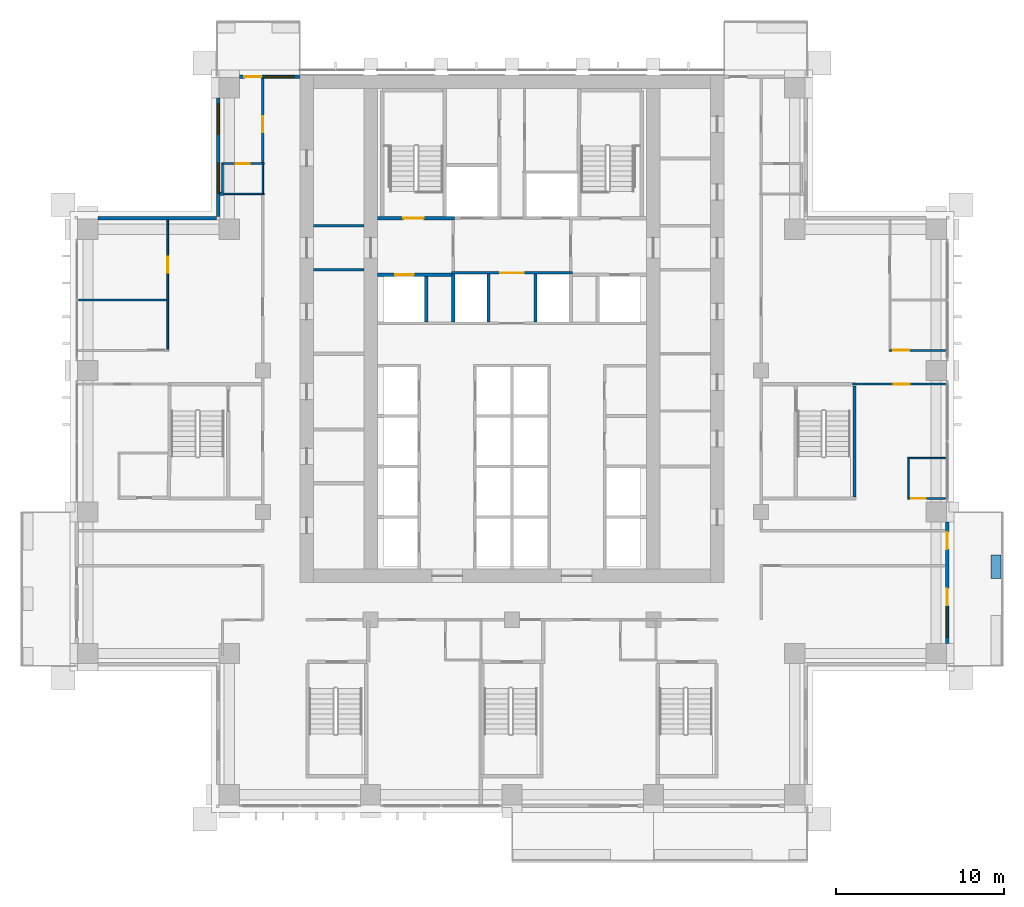
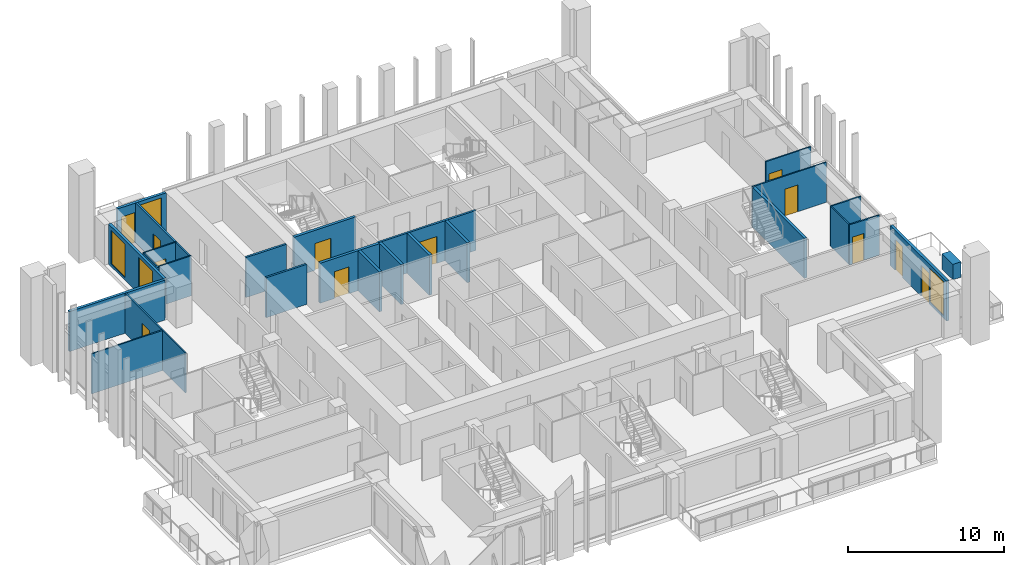
# One storey, part 12 of 19: 28 walls, 12 doors, 4 windows, 16 openings.
"""IFC4 building model written with IfcOpenShell, lengths in metres."""

from ifc_helpers import new_model, si_unit, direction, frame, frame_2d, origin, place, context, subcontext, project, spatial, rectangle, extrude, material, layer, layer_set, type_object, element, fill, save


model = new_model("IFC4")

# Units and contexts
model_context = context("Model", 3, precision=1e-05, world=origin(), true_north=direction((0.0, 1.0)))
body_context = subcontext(model_context, "Body", "Model", "MODEL_VIEW")
ifc_project = project(units=[si_unit("LENGTHUNIT", "METRE"), si_unit("AREAUNIT", "SQUARE_METRE"), si_unit("VOLUMEUNIT", "CUBIC_METRE"), si_unit("PLANEANGLEUNIT", "RADIAN"), si_unit("MASSUNIT", "GRAM", prefix="KILO")], contexts=[model_context])

# Site, building, storey
site_placement = place(None, origin())
site = spatial("IfcSite", under=ifc_project, at=site_placement, CompositionType="ELEMENT")
building_placement = place(site_placement, origin())
building = spatial("IfcBuilding", under=site, at=building_placement, Name="Vermilion Ogive Tower", CompositionType="ELEMENT")
storey_placement = place(building_placement, frame((0.0, 0.0, 90.75)))
storey = spatial("IfcBuildingStorey", under=building, at=storey_placement, Name="L22", CompositionType="ELEMENT", Elevation=90.75)

# Wall, opening, door
ifc_material_1 = material(Name="Gypsum board partition on steel studs", Category="steel")
ifc_layer_1 = layer(ifc_material_1, 0.10009765625)
ifc_layer_set_1 = layer_set([ifc_layer_1], Name="Partition 100 bath")
wall_type_1 = type_object("IfcWallType", Name="Partition 100 bath", PredefinedType="PARTITIONING", material=ifc_layer_set_1)
wall_1_placement = place(storey_placement, frame((23.501953125, -3.39990234375, 0.0), z_axis=(0.0, 0.0, 1.0), x_axis=(1.0, 0.0, 0.0)))
wall_1 = element("IfcWall", 1, at=wall_1_placement, inside=storey, type_object=wall_type_1, Name="L22-W-W020", PredefinedType="PARTITIONING", context=body_context, shape_type="SweptSolid", body=[
    extrude(rectangle(XDim=2.248046875, YDim=0.10009765625, at=frame_2d((1.1240234375, 0.0))), origin(), (0.0, 0.0, 1.0), 3.1298828125),
])
opening_1_placement = place(wall_1_placement, frame((0.222900390625, 0.0, 0.0)))
opening_1 = element("IfcOpeningElement", 2, at=opening_1_placement, cuts=wall_1, Name="Opening D2G2019", PredefinedType="OPENING", context=body_context, shape_type="SweptSolid", body=[
    extrude(rectangle(XDim=0.85009765625, YDim=2.10009765625, at=frame_2d((0.425048828125, 1.050048828125))), frame((0.0, 0.06005859375, 0.0), z_axis=(0.0, -1.0, 0.0), x_axis=(1.0, 0.0, 0.0)), (0.0, 0.0, 1.0), 0.1201171875),
])
ifc_material_2 = material(Name="Timber door leaf", Category="wood")
door_type_1 = type_object("IfcDoorType", Name="Bath door 850 x 2100 FD30", OperationType="SINGLE_SWING_LEFT", PredefinedType="DOOR", material=ifc_material_2)
door_1_placement = place(opening_1_placement, origin())
door_1 = element("IfcDoor", 3, at=door_1_placement, inside=storey, type_object=door_type_1, Name="L22-D-D019", OperationType="SINGLE_SWING_LEFT", OverallHeight=2.10009765625, OverallWidth=0.85009765625, PredefinedType="DOOR", context=body_context, shape_type="SweptSolid", body=[
    extrude(rectangle(XDim=0.85009765625, YDim=2.10009765625, at=frame_2d((0.425048828125, 1.050048828125))), frame((0.0, 0.02490234375, 0.0), z_axis=(0.0, -1.0, 0.0), x_axis=(1.0, 0.0, 0.0)), (0.0, 0.0, 1.0), 0.050048828125),
])
fill(opening_1, door_1)

# Walls
wall_2_placement = place(storey_placement, frame((23.501953125, -1.0, 0.0), z_axis=(0.0, 0.0, 1.0), x_axis=(1.0, 0.0, 0.0)))
element("IfcWall", 4, at=wall_2_placement, inside=storey, type_object=wall_type_1, Name="L22-W-W021", PredefinedType="PARTITIONING", context=body_context, shape_type="SweptSolid", body=[
    extrude(rectangle(XDim=2.248046875, YDim=0.10009765625, at=frame_2d((1.1240234375, 0.0))), origin(), (0.0, 0.0, 1.0), 3.1298828125),
])
wall_3_placement = place(storey_placement, frame((-17.25, 14.699951171875, 0.0), z_axis=(0.0, 0.0, 1.0), x_axis=(1.0, 0.0, 0.0)))
element("IfcWall", 5, at=wall_3_placement, inside=storey, type_object=wall_type_1, Name="L22-W-W032", PredefinedType="PARTITIONING", context=body_context, shape_type="SweptSolid", body=[
    extrude(rectangle(XDim=2.52490234375, YDim=0.10009765625, at=frame_2d((1.262451171875, 0.0))), origin(), (0.0, 0.0, 1.0), 3.1298828125),
])

# Wall, opening, door
wall_4_placement = place(storey_placement, frame((-17.25, 16.5, 0.0), z_axis=(0.0, 0.0, 1.0), x_axis=(1.0, 0.0, 0.0)))
wall_4 = element("IfcWall", 6, at=wall_4_placement, inside=storey, type_object=wall_type_1, Name="L22-W-W035", PredefinedType="PARTITIONING", context=body_context, shape_type="SweptSolid", body=[
    extrude(rectangle(XDim=2.52490234375, YDim=0.10009765625, at=frame_2d((1.262451171875, 0.0))), origin(), (0.0, 0.0, 1.0), 3.1298828125),
])
opening_2_placement = place(wall_4_placement, frame((0.824951171875, 0.0, 0.0)))
opening_2 = element("IfcOpeningElement", 7, at=opening_2_placement, cuts=wall_4, Name="Opening D2G2009", PredefinedType="OPENING", context=body_context, shape_type="SweptSolid", body=[
    extrude(rectangle(XDim=0.85009765625, YDim=2.10009765625, at=frame_2d((0.425048828125, 1.050048828125))), frame((0.0, 0.06005859375, 0.0), z_axis=(0.0, -1.0, 0.0), x_axis=(1.0, 0.0, 0.0)), (0.0, 0.0, 1.0), 0.1201171875),
])
door_2_placement = place(opening_2_placement, origin())
door_2 = element("IfcDoor", 8, at=door_2_placement, inside=storey, type_object=door_type_1, Name="L22-D-D009", OperationType="SINGLE_SWING_RIGHT", OverallHeight=2.10009765625, OverallWidth=0.85009765625, PredefinedType="DOOR", context=body_context, shape_type="SweptSolid", body=[
    extrude(rectangle(XDim=0.85009765625, YDim=2.10009765625, at=frame_2d((0.425048828125, 1.050048828125))), frame((0.0, 0.02490234375, 0.0), z_axis=(0.0, -1.0, 0.0), x_axis=(1.0, 0.0, 0.0)), (0.0, 0.0, 1.0), 0.050048828125),
])
fill(opening_2, door_2)

# Walls
wall_5_placement = place(storey_placement, frame((-17.199951171875, 14.800048828125, 0.0), z_axis=(0.0, 0.0, 1.0), x_axis=(0.0, 1.0, 0.0)))
element("IfcWall", 9, at=wall_5_placement, inside=storey, type_object=wall_type_1, Name="L22-W-W042", PredefinedType="PARTITIONING", context=body_context, shape_type="SweptSolid", body=[
    extrude(rectangle(XDim=1.64990234375, YDim=0.10009765625, at=frame_2d((0.824951171875, 0.0))), origin(), (0.0, 0.0, 1.0), 3.1298828125),
])
wall_6_placement = place(storey_placement, frame((-14.800048828125, 14.75, 0.0), z_axis=(0.0, 0.0, 1.0), x_axis=(0.0, 1.0, 0.0)))
element("IfcWall", 10, at=wall_6_placement, inside=storey, type_object=wall_type_1, Name="L22-W-W046", PredefinedType="PARTITIONING", context=body_context, shape_type="SweptSolid", body=[
    extrude(rectangle(XDim=1.699951171875, YDim=0.10009765625, at=frame_2d((0.85009765625, 0.0))), origin(), (0.0, 0.0, 1.0), 3.1298828125),
])
wall_7_placement = place(storey_placement, frame((23.550048828125, -3.347900390625, 0.0), z_axis=(0.0, 0.0, 1.0), x_axis=(0.0, 1.0, 0.0)))
element("IfcWall", 11, at=wall_7_placement, inside=storey, type_object=wall_type_1, Name="L22-W-W065", PredefinedType="PARTITIONING", context=body_context, shape_type="SweptSolid", body=[
    extrude(rectangle(XDim=2.2958984375, YDim=0.10009765625, at=frame_2d((1.14794921875, 0.0))), origin(), (0.0, 0.0, 1.0), 3.1298828125),
])

# Wall, opening, door
ifc_material_3 = material(Name="Gypsum board partition on steel studs", Category="steel")
ifc_layer_2 = layer(ifc_material_3, 0.10009765625)
ifc_layer_set_2 = layer_set([ifc_layer_2], Name="Partition 100 inner")
wall_type_2 = type_object("IfcWallType", Name="Partition 100 inner", PredefinedType="PARTITIONING", material=ifc_layer_set_2)
wall_8_placement = place(storey_placement, frame((20.25, 3.39990234375, 0.0), z_axis=(0.0, 0.0, 1.0), x_axis=(1.0, 0.0, 0.0)))
wall_8 = element("IfcWall", 12, at=wall_8_placement, inside=storey, type_object=wall_type_2, Name="L22-W-W026", PredefinedType="PARTITIONING", context=body_context, shape_type="SweptSolid", body=[
    extrude(rectangle(XDim=5.5, YDim=0.10009765625, at=frame_2d((2.75, 0.0))), origin(), (0.0, 0.0, 1.0), 3.1298828125),
])
opening_3_placement = place(wall_8_placement, frame((2.425048828125, 0.0, 0.0)))
opening_3 = element("IfcOpeningElement", 13, at=opening_3_placement, cuts=wall_8, Name="Opening D2G2018", PredefinedType="OPENING", context=body_context, shape_type="SweptSolid", body=[
    extrude(rectangle(XDim=0.949951171875, YDim=2.10009765625, at=frame_2d((0.47509765625, 1.050048828125))), frame((0.0, 0.06005859375, 0.0), z_axis=(0.0, -1.0, 0.0), x_axis=(1.0, 0.0, 0.0)), (0.0, 0.0, 1.0), 0.1201171875),
])
ifc_material_4 = material(Name="Timber door leaf", Category="wood")
door_type_2 = type_object("IfcDoorType", Name="Inner door 950 x 2100 FD30", OperationType="SINGLE_SWING_LEFT", PredefinedType="DOOR", material=ifc_material_4)
door_3_placement = place(opening_3_placement, origin())
door_3 = element("IfcDoor", 14, at=door_3_placement, inside=storey, type_object=door_type_2, Name="L22-D-D018", OperationType="SINGLE_SWING_LEFT", OverallHeight=2.10009765625, OverallWidth=0.949951171875, PredefinedType="DOOR", context=body_context, shape_type="SweptSolid", body=[
    extrude(rectangle(XDim=0.949951171875, YDim=2.10009765625, at=frame_2d((0.47509765625, 1.050048828125))), frame((0.0, 0.02490234375, 0.0), z_axis=(0.0, -1.0, 0.0), x_axis=(1.0, 0.0, 0.0)), (0.0, 0.0, 1.0), 0.050048828125),
])
fill(opening_3, door_3)

wall_9_placement = place(storey_placement, frame((22.39990234375, 5.39990234375, 0.0), z_axis=(0.0, 0.0, 1.0), x_axis=(1.0, 0.0, 0.0)))
wall_9 = element("IfcWall", 15, at=wall_9_placement, inside=storey, type_object=wall_type_2, Name="L22-W-W028", PredefinedType="PARTITIONING", context=body_context, shape_type="SweptSolid", body=[
    extrude(rectangle(XDim=3.35009765625, YDim=0.10009765625, at=frame_2d((1.675048828125, 0.0))), origin(), (0.0, 0.0, 1.0), 3.1298828125),
])
opening_4_placement = place(wall_9_placement, frame((0.25, 0.0, 0.0)))
opening_4 = element("IfcOpeningElement", 16, at=opening_4_placement, cuts=wall_9, Name="Opening D2G2015", PredefinedType="OPENING", context=body_context, shape_type="SweptSolid", body=[
    extrude(rectangle(XDim=0.949951171875, YDim=2.10009765625, at=frame_2d((0.47509765625, 1.050048828125))), frame((0.0, 0.06005859375, 0.0), z_axis=(0.0, -1.0, 0.0), x_axis=(1.0, 0.0, 0.0)), (0.0, 0.0, 1.0), 0.1201171875),
])
door_4_placement = place(opening_4_placement, origin())
door_4 = element("IfcDoor", 17, at=door_4_placement, inside=storey, type_object=door_type_2, Name="L22-D-D015", OperationType="SINGLE_SWING_LEFT", OverallHeight=2.10009765625, OverallWidth=0.949951171875, PredefinedType="DOOR", context=body_context, shape_type="SweptSolid", body=[
    extrude(rectangle(XDim=0.949951171875, YDim=2.10009765625, at=frame_2d((0.47509765625, 1.050048828125))), frame((0.0, 0.02490234375, 0.0), z_axis=(0.0, -1.0, 0.0), x_axis=(1.0, 0.0, 0.0)), (0.0, 0.0, 1.0), 0.050048828125),
])
fill(opening_4, door_4)

# Wall
wall_10_placement = place(storey_placement, frame((-25.75, 8.39990234375, 0.0), z_axis=(0.0, 0.0, 1.0), x_axis=(1.0, 0.0, 0.0)))
element("IfcWall", 18, at=wall_10_placement, inside=storey, type_object=wall_type_2, Name="L22-W-W029", PredefinedType="PARTITIONING", context=body_context, shape_type="SweptSolid", body=[
    extrude(rectangle(XDim=5.25, YDim=0.10009765625, at=frame_2d((2.625, 0.0))), origin(), (0.0, 0.0, 1.0), 3.1298828125),
])

# Wall, opening, door
wall_11_placement = place(storey_placement, frame((-20.449951171875, 5.449951171875, 0.0), z_axis=(0.0, 0.0, 1.0), x_axis=(0.0, 1.0, 0.0)))
wall_11 = element("IfcWall", 19, at=wall_11_placement, inside=storey, type_object=wall_type_2, Name="L22-W-W038", PredefinedType="PARTITIONING", context=body_context, shape_type="SweptSolid", body=[
    extrude(rectangle(XDim=7.699951171875, YDim=0.10009765625, at=frame_2d((3.85009765625, 0.0))), origin(), (0.0, 0.0, 1.0), 3.1298828125),
])
opening_5_placement = place(wall_11_placement, frame((4.574951171875, 0.0, 0.0)))
opening_5 = element("IfcOpeningElement", 20, at=opening_5_placement, cuts=wall_11, Name="Opening D2G2004", PredefinedType="OPENING", context=body_context, shape_type="SweptSolid", body=[
    extrude(rectangle(XDim=0.949951171875, YDim=2.10009765625, at=frame_2d((0.47509765625, 1.050048828125))), frame((0.0, 0.06005859375, 0.0), z_axis=(0.0, -1.0, 0.0), x_axis=(1.0, 0.0, 0.0)), (0.0, 0.0, 1.0), 0.1201171875),
])
door_5_placement = place(opening_5_placement, origin())
door_5 = element("IfcDoor", 21, at=door_5_placement, inside=storey, type_object=door_type_2, Name="L22-D-D004", OperationType="SINGLE_SWING_LEFT", OverallHeight=2.10009765625, OverallWidth=0.949951171875, PredefinedType="DOOR", context=body_context, shape_type="SweptSolid", body=[
    extrude(rectangle(XDim=0.949951171875, YDim=2.10009765625, at=frame_2d((0.47509765625, 1.050048828125))), frame((0.0, 0.02490234375, 0.0), z_axis=(0.0, -1.0, 0.0), x_axis=(1.0, 0.0, 0.0)), (0.0, 0.0, 1.0), 0.050048828125),
])
fill(opening_5, door_5)

ifc_material_5 = material(Name="Gypsum board partition on steel studs", Category="steel")
ifc_layer_3 = layer(ifc_material_5, 0.14990234375)
ifc_layer_set_3 = layer_set([ifc_layer_3], Name="Partition 150 corridor")
wall_type_3 = type_object("IfcWallType", Name="Partition 150 corridor", PredefinedType="PARTITIONING", material=ifc_layer_set_3)
wall_12_placement = place(storey_placement, frame((-14.800048828125, 16.550048828125, 0.0), z_axis=(0.0, 0.0, 1.0), x_axis=(0.0, 1.0, 0.0)))
wall_12 = element("IfcWall", 22, at=wall_12_placement, inside=storey, type_object=wall_type_3, Name="L22-W-W047", PredefinedType="PARTITIONING", context=body_context, shape_type="SweptSolid", body=[
    extrude(rectangle(XDim=5.0, YDim=0.14990234375, at=frame_2d((2.5, 0.0))), origin(), (0.0, 0.0, 1.0), 3.1298828125),
])
opening_6_placement = place(wall_12_placement, frame((1.800048828125, 0.0, 0.0)))
opening_6 = element("IfcOpeningElement", 23, at=opening_6_placement, cuts=wall_12, Name="Opening D2G2008", PredefinedType="OPENING", context=body_context, shape_type="SweptSolid", body=[
    extrude(rectangle(XDim=0.949951171875, YDim=2.10009765625, at=frame_2d((0.47509765625, 1.050048828125))), frame((0.0, 0.0849609375, 0.0), z_axis=(0.0, -1.0, 0.0), x_axis=(1.0, 0.0, 0.0)), (0.0, 0.0, 1.0), 0.169921875),
])
ifc_material_6 = material(Name="Timber door leaf", Category="wood")
door_type_3 = type_object("IfcDoorType", Name="Unit door 950 x 2100 FD30S", OperationType="SINGLE_SWING_LEFT", PredefinedType="DOOR", material=ifc_material_6)
door_6_placement = place(opening_6_placement, origin())
door_6 = element("IfcDoor", 24, at=door_6_placement, inside=storey, type_object=door_type_3, Name="L22-D-D008", OperationType="SINGLE_SWING_RIGHT", OverallHeight=2.10009765625, OverallWidth=0.949951171875, PredefinedType="DOOR", context=body_context, shape_type="SweptSolid", body=[
    extrude(rectangle(XDim=0.949951171875, YDim=2.10009765625, at=frame_2d((0.47509765625, 1.050048828125))), frame((0.0, 0.02490234375, 0.0), z_axis=(0.0, -1.0, 0.0), x_axis=(1.0, 0.0, 0.0)), (0.0, 0.0, 1.0), 0.050048828125),
])
fill(opening_6, door_6)

wall_13_placement = place(storey_placement, frame((-3.60009765625, 10.0, 0.0), z_axis=(0.0, 0.0, 1.0), x_axis=(1.0, 0.0, 0.0)))
wall_13 = element("IfcWall", 25, at=wall_13_placement, inside=storey, type_object=wall_type_3, Name="L22-CK-W-W016", PredefinedType="PARTITIONING", context=body_context, shape_type="SweptSolid", body=[
    extrude(rectangle(XDim=7.2001953125, YDim=0.14990234375, at=frame_2d((3.60009765625, 0.0))), origin(), (0.0, 0.0, 1.0), 3.1298828125),
])
opening_7_placement = place(wall_13_placement, frame((2.900146484375, 0.0, 0.0)))
opening_7 = element("IfcOpeningElement", 26, at=opening_7_placement, cuts=wall_13, Name="Opening DAA164", PredefinedType="OPENING", context=body_context, shape_type="SweptSolid", body=[
    extrude(rectangle(XDim=1.39990234375, YDim=2.10009765625, at=frame_2d((0.699951171875, 1.050048828125))), frame((0.0, 0.0849609375, 0.0), z_axis=(0.0, -1.0, 0.0), x_axis=(1.0, 0.0, 0.0)), (0.0, 0.0, 1.0), 0.169921875),
])
ifc_material_7 = material(Name="Timber door leaf", Category="wood")
door_type_4 = type_object("IfcDoorType", Name="Lobby door 1400 x 2100 FD60S", OperationType="SINGLE_SWING_LEFT", PredefinedType="DOOR", material=ifc_material_7)
door_7_placement = place(opening_7_placement, origin())
door_7 = element("IfcDoor", 27, at=door_7_placement, inside=storey, type_object=door_type_4, Name="L22-CK-D-D016", OperationType="SINGLE_SWING_RIGHT", OverallHeight=2.10009765625, OverallWidth=1.39990234375, PredefinedType="DOOR", context=body_context, shape_type="SweptSolid", body=[
    extrude(rectangle(XDim=1.39990234375, YDim=2.10009765625, at=frame_2d((0.699951171875, 1.050048828125))), frame((0.0, 0.02490234375, 0.0), z_axis=(0.0, -1.0, 0.0), x_axis=(1.0, 0.0, 0.0)), (0.0, 0.0, 1.0), 0.050048828125),
])
fill(opening_7, door_7)

# Walls
for number, where, z_axis, x_axis, name in (
    (28, (-11.799072265625, 10.199951171875, 0.0), (0.0, 0.0, 1.0), (1.0, 0.0, 0.0), "L22-CKW-W-W004"),
    (29, (-11.799072265625, 12.800048828125, 0.0), (0.0, 0.0, 1.0), (1.0, 0.0, 0.0), "L22-CKW-W-W005"),
):
    element("IfcWall", number, at=place(storey_placement, frame(where, z_axis=z_axis, x_axis=x_axis)), inside=storey, type_object=wall_type_3, Name=name, PredefinedType="PARTITIONING", context=body_context, shape_type="SweptSolid", body=[
        extrude(rectangle(XDim=2.998046875, YDim=0.14990234375, at=frame_2d((1.4990234375, 0.0))), origin(), (0.0, 0.0, 1.0), 3.1298828125),
    ])
ifc_material_8 = material(Name="Gypsum board partition on steel studs", Category="steel")
ifc_layer_4 = layer(ifc_material_8, 0.199951171875)
ifc_layer_set_4 = layer_set([ifc_layer_4], Name="Partition 200 party")
wall_type_4 = type_object("IfcWallType", Name="Partition 200 party", PredefinedType="PARTITIONING", material=ifc_layer_set_4)
wall_14_placement = place(storey_placement, frame((-17.35009765625, 14.699951171875, 0.0), z_axis=(0.0, 0.0, 1.0), x_axis=(1.0, 0.0, 0.0)))
element("IfcWall", 30, at=wall_14_placement, inside=storey, type_object=wall_type_4, Name="L22-W-W031", PredefinedType="PARTITIONING", context=body_context, shape_type="SweptSolid", body=[
    extrude(rectangle(XDim=0.2001953125, YDim=0.199951171875, at=frame_2d((0.10009765625, 0.0))), origin(), (0.0, 0.0, 1.0), 3.1298828125),
])

# Wall, opening, door
wall_15_placement = place(storey_placement, frame((-7.9990234375, 9.89990234375, 0.0), z_axis=(0.0, 0.0, 1.0), x_axis=(1.0, 0.0, 0.0)))
wall_15 = element("IfcWall", 31, at=wall_15_placement, inside=storey, type_object=wall_type_4, Name="L22-CK-W-W014", PredefinedType="PARTITIONING", context=body_context, shape_type="SweptSolid", body=[
    extrude(rectangle(XDim=4.39892578125, YDim=0.199951171875, at=frame_2d((2.199462890625, 0.0))), origin(), (0.0, 0.0, 1.0), 3.1298828125),
])
opening_8_placement = place(wall_15_placement, frame((1.049072265625, 0.0, 0.0)))
opening_8 = element("IfcOpeningElement", 32, at=opening_8_placement, cuts=wall_15, Name="Opening DAA182", PredefinedType="OPENING", context=body_context, shape_type="SweptSolid", body=[
    extrude(rectangle(XDim=1.10009765625, YDim=2.10009765625, at=frame_2d((0.550048828125, 1.050048828125))), frame((0.0, 0.10986328125, 0.0), z_axis=(0.0, -1.0, 0.0), x_axis=(1.0, 0.0, 0.0)), (0.0, 0.0, 1.0), 0.219970703125),
])
ifc_material_9 = material(Name="Stainless steel", Category="steel")
door_type_5 = type_object("IfcDoorType", Name="Lift landing door 1100 x 2100", OperationType="SLIDING_TO_LEFT", PredefinedType="DOOR", material=ifc_material_9)
door_8_placement = place(opening_8_placement, origin())
door_8 = element("IfcDoor", 33, at=door_8_placement, inside=storey, type_object=door_type_5, Name="L22-CK-D-D012", OperationType="SLIDING_TO_LEFT", OverallHeight=2.10009765625, OverallWidth=1.10009765625, PredefinedType="DOOR", context=body_context, shape_type="SweptSolid", body=[
    extrude(rectangle(XDim=1.10009765625, YDim=2.10009765625, at=frame_2d((0.550048828125, 1.050048828125))), frame((0.0, 0.02490234375, 0.0), z_axis=(0.0, -1.0, 0.0), x_axis=(1.0, 0.0, 0.0)), (0.0, 0.0, 1.0), 0.050048828125),
])
fill(opening_8, door_8)

# Walls
wall_16_placement = place(storey_placement, frame((-5.10009765625, 7.074951171875, 0.0), z_axis=(0.0, 0.0, 1.0), x_axis=(0.0, 1.0, 0.0)))
element("IfcWall", 34, at=wall_16_placement, inside=storey, type_object=wall_type_4, Name="L22-CK-W-W023", PredefinedType="PARTITIONING", context=body_context, shape_type="SweptSolid", body=[
    extrude(rectangle(XDim=2.72509765625, YDim=0.199951171875, at=frame_2d((1.362548828125, 0.0))), origin(), (0.0, 0.0, 1.0), 3.1298828125),
])
for number, where, z_axis, x_axis, name in (
    (35, (-3.5, 7.074951171875, 0.0), (0.0, 0.0, 1.0), (0.0, 1.0, 0.0), "L22-CK-W-W025"),
    (36, (-1.39990234375, 7.074951171875, 0.0), (0.0, 0.0, 1.0), (0.0, 1.0, 0.0), "L22-CK-W-W028"),
    (37, (1.39990234375, 7.074951171875, 0.0), (0.0, 0.0, 1.0), (0.0, 1.0, 0.0), "L22-CK-W-W033"),
):
    element("IfcWall", number, at=place(storey_placement, frame(where, z_axis=z_axis, x_axis=x_axis)), inside=storey, type_object=wall_type_4, Name=name, PredefinedType="PARTITIONING", context=body_context, shape_type="SweptSolid", body=[
        extrude(rectangle(XDim=2.85009765625, YDim=0.199951171875, at=frame_2d((1.425048828125, 0.0))), origin(), (0.0, 0.0, 1.0), 3.1298828125),
    ])

# Wall, opening, door
ifc_material_10 = material(Name="Concrete B60", Category="concrete")
ifc_layer_5 = layer(ifc_material_10, 0.199951171875)
ifc_layer_set_5 = layer_set([ifc_layer_5], Name="Stair shaft wall 200 Concrete B60")
wall_type_5 = type_object("IfcWallType", Name="Stair shaft wall 200 Concrete B60", PredefinedType="SOLIDWALL", material=ifc_layer_set_5)
wall_17_placement = place(storey_placement, frame((-7.9990234375, 13.25, 0.0), z_axis=(0.0, 0.0, 1.0), x_axis=(1.0, 0.0, 0.0)))
wall_17 = element("IfcWall", 38, at=wall_17_placement, inside=storey, type_object=wall_type_5, Name="L22-CK-W-W017", PredefinedType="SOLIDWALL", context=body_context, shape_type="SweptSolid", body=[
    extrude(rectangle(XDim=4.573974609375, YDim=0.199951171875, at=frame_2d((2.287109375, 0.0))), origin(), (0.0, 0.0, 1.0), 3.1298828125),
])
opening_9_placement = place(wall_17_placement, frame((1.549072265625, 0.0, 0.0)))
opening_9 = element("IfcOpeningElement", 39, at=opening_9_placement, cuts=wall_17, Name="Opening DAA170", PredefinedType="OPENING", context=body_context, shape_type="SweptSolid", body=[
    extrude(rectangle(XDim=1.199951171875, YDim=2.10009765625, at=frame_2d((0.60009765625, 1.050048828125))), frame((0.0, 0.10986328125, 0.0), z_axis=(0.0, -1.0, 0.0), x_axis=(1.0, 0.0, 0.0)), (0.0, 0.0, 1.0), 0.219970703125),
])
ifc_material_11 = material(Name="Timber door leaf", Category="wood")
door_type_6 = type_object("IfcDoorType", Name="Stair door 1200 x 2100 FD60S", OperationType="SINGLE_SWING_LEFT", PredefinedType="DOOR", material=ifc_material_11)
door_9_placement = place(opening_9_placement, origin())
door_9 = element("IfcDoor", 40, at=door_9_placement, inside=storey, type_object=door_type_6, Name="L22-CK-D-D011", OperationType="SINGLE_SWING_LEFT", OverallHeight=2.10009765625, OverallWidth=1.199951171875, PredefinedType="DOOR", context=body_context, shape_type="SweptSolid", body=[
    extrude(rectangle(XDim=1.199951171875, YDim=2.10009765625, at=frame_2d((0.60009765625, 1.050048828125))), frame((0.0, 0.02490234375, 0.0), z_axis=(0.0, -1.0, 0.0), x_axis=(1.0, 0.0, 0.0)), (0.0, 0.0, 1.0), 0.050048828125),
])
fill(opening_9, door_9)

# Walls
wall_18_placement = place(storey_placement, frame((20.35009765625, -3.298095703125, 0.0), z_axis=(0.0, 0.0, 1.0), x_axis=(0.0, 1.0, 0.0)))
element("IfcWall", 41, at=wall_18_placement, inside=storey, type_object=wall_type_5, Name="L22-W-W063-A", PredefinedType="SOLIDWALL", context=body_context, shape_type="SweptSolid", body=[
    extrude(rectangle(XDim=6.59814453125, YDim=0.199951171875, at=frame_2d((3.299072265625, 0.0))), origin(), (0.0, 0.0, 1.0), 3.1298828125),
])
ifc_material_12 = material(Name="Concrete B40", Category="concrete")
ifc_layer_6 = layer(ifc_material_12, 0.60009765625)
ifc_layer_set_6 = layer_set([ifc_layer_6], Name="Structural planter")
wall_type_6 = type_object("IfcWallType", Name="Structural planter", PredefinedType="USERDEFINED", material=ifc_layer_set_6)
wall_19_placement = place(storey_placement, frame((28.75, -8.14990234375, -0.0400390625), z_axis=(0.0, 0.0, 1.0), x_axis=(0.0, 1.0, 0.0)))
element("IfcWall", 42, at=wall_19_placement, inside=storey, type_object=wall_type_6, Name="Planter E01A2", ObjectType="PLANTER", PredefinedType="USERDEFINED", context=body_context, shape_type="SweptSolid", body=[
    extrude(rectangle(XDim=1.39990234375, YDim=0.60009765625, at=frame_2d((0.699951171875, 0.0))), origin(), (0.0, 0.0, 1.0), 1.199951171875),
])

# Wall, openings, doors, window
ifc_material_13 = material(Name="Aluminium window wall framing", Category="aluminium")
ifc_layer_7 = layer(ifc_material_13, 0.199951171875)
ifc_layer_set_7 = layer_set([ifc_layer_7], Name="Window wall")
wall_type_7 = type_object("IfcWallType", Name="Window wall", PredefinedType="STANDARD", material=ifc_layer_set_7)
wall_20_placement = place(storey_placement, frame((25.85009765625, -12.0, 0.0), z_axis=(0.0, 0.0, 1.0), x_axis=(0.0, 1.0, 0.0)))
wall_20 = element("IfcWall", 43, at=wall_20_placement, inside=storey, type_object=wall_type_7, Name="Window wall E1", PredefinedType="STANDARD", context=body_context, shape_type="SweptSolid", body=[
    extrude(rectangle(XDim=7.199951171875, YDim=0.199951171875, at=frame_2d((3.60009765625, 0.0))), origin(), (0.0, 0.0, 1.0), 3.1298828125),
])
opening_10_placement = place(wall_20_placement, frame((0.35009765625, 0.0, 0.199951171875)))
opening_10 = element("IfcOpeningElement", 44, at=opening_10_placement, cuts=wall_20, Name="Opening W1-E97", PredefinedType="OPENING", context=body_context, shape_type="SweptSolid", body=[
    extrude(rectangle(XDim=1.800048828125, YDim=2.64990234375, at=frame_2d((0.89990234375, 1.324951171875))), frame((0.0, 0.10986328125, 0.0), z_axis=(0.0, -1.0, 0.0), x_axis=(1.0, 0.0, 0.0)), (0.0, 0.0, 1.0), 0.219970703125),
])
opening_11_placement = place(wall_20_placement, frame((2.25, 0.0, 0.0)))
opening_11 = element("IfcOpeningElement", 45, at=opening_11_placement, cuts=wall_20, Name="Opening D1-E97", PredefinedType="OPENING", context=body_context, shape_type="SweptSolid", body=[
    extrude(rectangle(XDim=1.0, YDim=2.39990234375, at=frame_2d((0.5, 1.199951171875))), frame((0.0, 0.10986328125, 0.0), z_axis=(0.0, -1.0, 0.0), x_axis=(1.0, 0.0, 0.0)), (0.0, 0.0, 1.0), 0.219970703125),
])
opening_12_placement = place(wall_20_placement, frame((5.60009765625, 0.0, 0.0)))
opening_12 = element("IfcOpeningElement", 46, at=opening_12_placement, cuts=wall_20, Name="Opening D1-E98", PredefinedType="OPENING", context=body_context, shape_type="SweptSolid", body=[
    extrude(rectangle(XDim=1.0, YDim=2.39990234375, at=frame_2d((0.5, 1.199951171875))), frame((0.0, 0.10986328125, 0.0), z_axis=(0.0, -1.0, 0.0), x_axis=(1.0, 0.0, 0.0)), (0.0, 0.0, 1.0), 0.219970703125),
])
ifc_material_14 = material(Name="Aluminium framed glazed door", Category="aluminium")
door_type_7 = type_object("IfcDoorType", Name="Balcony door D1", OperationType="SINGLE_SWING_LEFT", PredefinedType="DOOR", material=ifc_material_14)
door_10_placement = place(opening_11_placement, origin())
door_10 = element("IfcDoor", 47, at=door_10_placement, inside=storey, type_object=door_type_7, Name="Balcony door E97", OperationType="SINGLE_SWING_LEFT", OverallHeight=2.39990234375, OverallWidth=1.0, PredefinedType="DOOR", context=body_context, shape_type="SweptSolid", body=[
    extrude(rectangle(XDim=1.0, YDim=2.39990234375, at=frame_2d((0.5, 1.199951171875))), frame((0.0, 0.02490234375, 0.0), z_axis=(0.0, -1.0, 0.0), x_axis=(1.0, 0.0, 0.0)), (0.0, 0.0, 1.0), 0.050048828125),
])
fill(opening_11, door_10)
door_11_placement = place(opening_12_placement, origin())
door_11 = element("IfcDoor", 48, at=door_11_placement, inside=storey, type_object=door_type_7, Name="Balcony door E98", OperationType="SINGLE_SWING_LEFT", OverallHeight=2.39990234375, OverallWidth=1.0, PredefinedType="DOOR", context=body_context, shape_type="SweptSolid", body=[
    extrude(rectangle(XDim=1.0, YDim=2.39990234375, at=frame_2d((0.5, 1.199951171875))), frame((0.0, 0.02490234375, 0.0), z_axis=(0.0, -1.0, 0.0), x_axis=(1.0, 0.0, 0.0)), (0.0, 0.0, 1.0), 0.050048828125),
])
fill(opening_12, door_11)
ifc_material_15 = material(Name="Aluminium framed double glazing", Category="aluminium")
window_type = type_object("IfcWindowType", Name="Guest window W1", PartitioningType="SINGLE_PANEL", PredefinedType="WINDOW", material=ifc_material_15)
window_1_placement = place(opening_10_placement, origin())
window_1 = element("IfcWindow", 49, at=window_1_placement, inside=storey, type_object=window_type, Name="Window E97", OverallHeight=2.64990234375, OverallWidth=1.800048828125, PartitioningType="SINGLE_PANEL", PredefinedType="WINDOW", context=body_context, shape_type="SweptSolid", body=[
    extrude(rectangle(XDim=1.800048828125, YDim=2.64990234375, at=frame_2d((0.89990234375, 1.324951171875))), frame((0.0, 0.030029296875, 0.0), z_axis=(0.0, -1.0, 0.0), x_axis=(1.0, 0.0, 0.0)), (0.0, 0.0, 1.0), 0.06005859375),
])
fill(opening_10, window_1)

# Wall, openings, door, window
wall_21_placement = place(storey_placement, frame((-12.60009765625, 21.64990234375, 0.0), z_axis=(0.0, 0.0, 1.0), x_axis=(-1.0, 0.0, 0.0)))
wall_21 = element("IfcWall", 50, at=wall_21_placement, inside=storey, type_object=wall_type_7, Name="Window wall N21", PredefinedType="STANDARD", context=body_context, shape_type="SweptSolid", body=[
    extrude(rectangle(XDim=3.599853515625, YDim=0.199951171875, at=frame_2d((1.7998046875, 0.0))), origin(), (0.0, 0.0, 1.0), 3.1298828125),
])
opening_13_placement = place(wall_21_placement, frame((0.35009765625, 0.0, 0.199951171875)))
opening_13 = element("IfcOpeningElement", 51, at=opening_13_placement, cuts=wall_21, Name="Opening W1-N296", PredefinedType="OPENING", context=body_context, shape_type="SweptSolid", body=[
    extrude(rectangle(XDim=1.800048828125, YDim=2.64990234375, at=frame_2d((0.89990234375, 1.324951171875))), frame((0.0, 0.10986328125, 0.0), z_axis=(0.0, -1.0, 0.0), x_axis=(1.0, 0.0, 0.0)), (0.0, 0.0, 1.0), 0.219970703125),
])
opening_14_placement = place(wall_21_placement, frame((2.300048828125, 0.0, 0.0)))
opening_14 = element("IfcOpeningElement", 52, at=opening_14_placement, cuts=wall_21, Name="Opening D1-N296", PredefinedType="OPENING", context=body_context, shape_type="SweptSolid", body=[
    extrude(rectangle(XDim=1.0, YDim=2.39990234375, at=frame_2d((0.5, 1.199951171875))), frame((0.0, 0.10986328125, 0.0), z_axis=(0.0, -1.0, 0.0), x_axis=(1.0, 0.0, 0.0)), (0.0, 0.0, 1.0), 0.219970703125),
])
door_12_placement = place(opening_14_placement, origin())
door_12 = element("IfcDoor", 53, at=door_12_placement, inside=storey, type_object=door_type_7, Name="Balcony door N296", OperationType="SINGLE_SWING_LEFT", OverallHeight=2.39990234375, OverallWidth=1.0, PredefinedType="DOOR", context=body_context, shape_type="SweptSolid", body=[
    extrude(rectangle(XDim=1.0, YDim=2.39990234375, at=frame_2d((0.5, 1.199951171875))), frame((0.0, 0.02490234375, 0.0), z_axis=(0.0, -1.0, 0.0), x_axis=(1.0, 0.0, 0.0)), (0.0, 0.0, 1.0), 0.050048828125),
])
fill(opening_14, door_12)
window_2_placement = place(opening_13_placement, origin())
window_2 = element("IfcWindow", 54, at=window_2_placement, inside=storey, type_object=window_type, Name="Window N296", OverallHeight=2.64990234375, OverallWidth=1.800048828125, PartitioningType="SINGLE_PANEL", PredefinedType="WINDOW", context=body_context, shape_type="SweptSolid", body=[
    extrude(rectangle(XDim=1.800048828125, YDim=2.64990234375, at=frame_2d((0.89990234375, 1.324951171875))), frame((0.0, 0.030029296875, 0.0), z_axis=(0.0, -1.0, 0.0), x_axis=(1.0, 0.0, 0.0)), (0.0, 0.0, 1.0), 0.06005859375),
])
fill(opening_13, window_2)

# Wall, openings, windows
wall_22_placement = place(storey_placement, frame((-17.449951171875, 20.39990234375, 0.0), z_axis=(0.0, 0.0, 1.0), x_axis=(0.0, -1.0, 0.0)))
wall_22 = element("IfcWall", 55, at=wall_22_placement, inside=storey, type_object=wall_type_7, Name="Window wall X51", PredefinedType="STANDARD", context=body_context, shape_type="SweptSolid", body=[
    extrude(rectangle(XDim=7.0498046875, YDim=0.199951171875, at=frame_2d((3.52490234375, 0.0))), origin(), (0.0, 0.0, 1.0), 3.1298828125),
])
opening_15_placement = place(wall_22_placement, frame((3.875, 0.0, 0.199951171875)))
opening_15 = element("IfcOpeningElement", 56, at=opening_15_placement, cuts=wall_22, Name="Opening W1-X503", PredefinedType="OPENING", context=body_context, shape_type="SweptSolid", body=[
    extrude(rectangle(XDim=1.800048828125, YDim=2.64990234375, at=frame_2d((0.89990234375, 1.324951171875))), frame((0.0, 0.10986328125, 0.0), z_axis=(0.0, -1.0, 0.0), x_axis=(1.0, 0.0, 0.0)), (0.0, 0.0, 1.0), 0.219970703125),
])
opening_16_placement = place(wall_22_placement, frame((0.35009765625, 0.0, 0.199951171875)))
opening_16 = element("IfcOpeningElement", 57, at=opening_16_placement, cuts=wall_22, Name="Opening W1-X504", PredefinedType="OPENING", context=body_context, shape_type="SweptSolid", body=[
    extrude(rectangle(XDim=1.800048828125, YDim=2.64990234375, at=frame_2d((0.89990234375, 1.324951171875))), frame((0.0, 0.10986328125, 0.0), z_axis=(0.0, -1.0, 0.0), x_axis=(1.0, 0.0, 0.0)), (0.0, 0.0, 1.0), 0.219970703125),
])
window_3_placement = place(opening_15_placement, origin())
window_3 = element("IfcWindow", 58, at=window_3_placement, inside=storey, type_object=window_type, Name="Window X503", OverallHeight=2.64990234375, OverallWidth=1.800048828125, PartitioningType="SINGLE_PANEL", PredefinedType="WINDOW", context=body_context, shape_type="SweptSolid", body=[
    extrude(rectangle(XDim=1.800048828125, YDim=2.64990234375, at=frame_2d((0.89990234375, 1.324951171875))), frame((0.0, 0.030029296875, 0.0), z_axis=(0.0, -1.0, 0.0), x_axis=(1.0, 0.0, 0.0)), (0.0, 0.0, 1.0), 0.06005859375),
])
fill(opening_15, window_3)
window_4_placement = place(opening_16_placement, origin())
window_4 = element("IfcWindow", 59, at=window_4_placement, inside=storey, type_object=window_type, Name="Window X504", OverallHeight=2.64990234375, OverallWidth=1.800048828125, PartitioningType="SINGLE_PANEL", PredefinedType="WINDOW", context=body_context, shape_type="SweptSolid", body=[
    extrude(rectangle(XDim=1.800048828125, YDim=2.64990234375, at=frame_2d((0.89990234375, 1.324951171875))), frame((0.0, 0.030029296875, 0.0), z_axis=(0.0, -1.0, 0.0), x_axis=(1.0, 0.0, 0.0)), (0.0, 0.0, 1.0), 0.06005859375),
])
fill(opening_16, window_4)

# Wall
wall_23_placement = place(storey_placement, frame((-17.550048828125, 13.25, 0.0), z_axis=(0.0, 0.0, 1.0), x_axis=(-1.0, 0.0, 0.0)))
element("IfcWall", 60, at=wall_23_placement, inside=storey, type_object=wall_type_7, Name="Window wall X61", PredefinedType="STANDARD", context=body_context, shape_type="SweptSolid", body=[
    extrude(rectangle(XDim=7.050048828125, YDim=0.199951171875, at=frame_2d((3.52490234375, 0.0))), origin(), (0.0, 0.0, 1.0), 3.1298828125),
])

save(model, "model.ifc")
